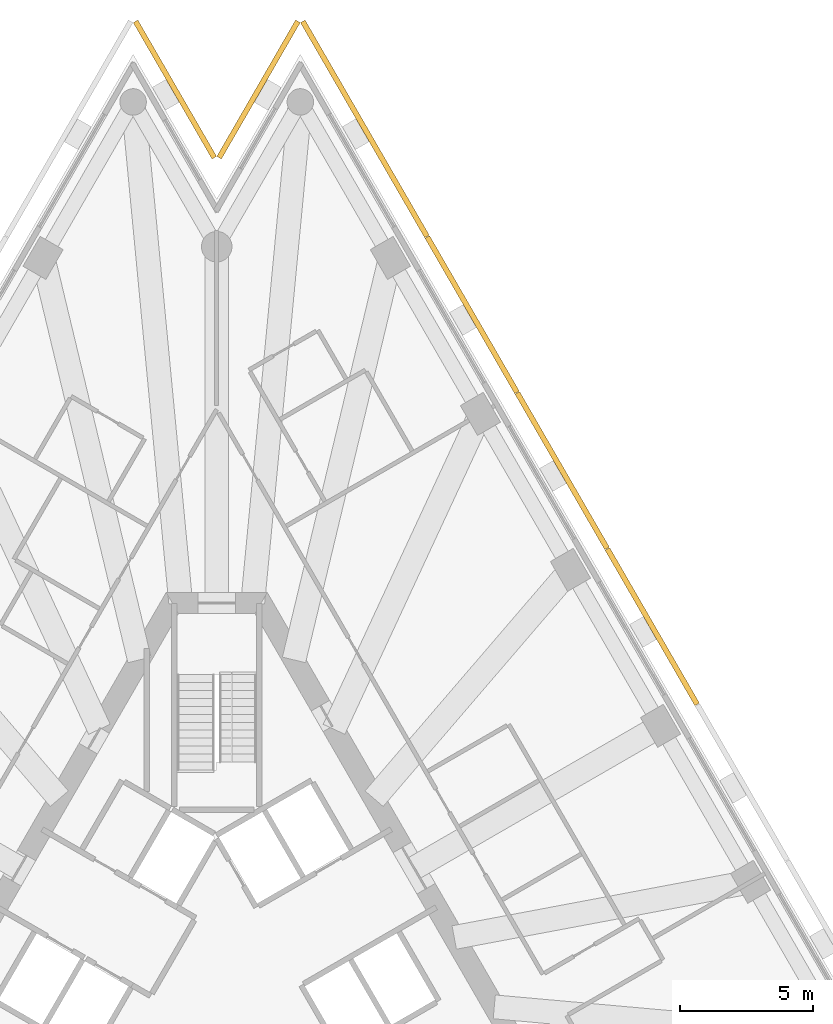
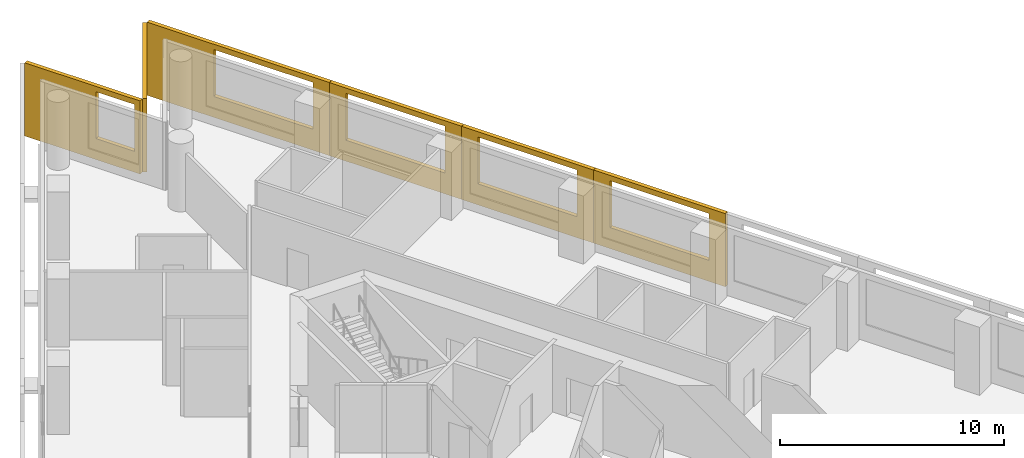
# One storey, part 9 of 9: 6 shading devices.
"""IFC4 building model written with IfcOpenShell, lengths in metres."""

from ifc_helpers import new_model, si_unit, direction, frame, origin, place, context, subcontext, project, spatial, polyline, outline, extrude, material, layer, layer_set, type_object, element, save


model = new_model("IFC4")

# Units and contexts
model_context = context("Model", 3, precision=1e-05, world=origin(), true_north=direction((0.0, 1.0)))
body_context = subcontext(model_context, "Body", "Model", "MODEL_VIEW")
ifc_project = project(units=[si_unit("LENGTHUNIT", "METRE"), si_unit("AREAUNIT", "SQUARE_METRE"), si_unit("VOLUMEUNIT", "CUBIC_METRE"), si_unit("PLANEANGLEUNIT", "RADIAN"), si_unit("MASSUNIT", "GRAM", prefix="KILO")], contexts=[model_context])

# Site, building, storey
site_placement = place(None, origin())
site = spatial("IfcSite", under=ifc_project, at=site_placement, CompositionType="ELEMENT")
building_placement = place(site_placement, origin())
building = spatial("IfcBuilding", under=site, at=building_placement, Name="Triada Interchange Tower", CompositionType="ELEMENT")
storey_placement = place(building_placement, frame((0.0, 0.0, 132.300048828125)))
storey = spatial("IfcBuildingStorey", under=building, at=storey_placement, Name="L30", CompositionType="ELEMENT", Elevation=132.300048828125)

# Shading devices
ifc_material = material(Name="Concrete C50/60 precast", Category="concrete")
ifc_layer_1 = layer(ifc_material, 0.02001953125, Name="Exposed aggregate face")
ifc_layer_2 = layer(ifc_material, 0.179931640625, Name="Precast concrete screen")
ifc_layer_set = layer_set([ifc_layer_1, ifc_layer_2], Name="Outer skin screen panel 3980")
shading_device_type = type_object("IfcShadingDeviceType", Name="Outer skin screen panel 3980", PredefinedType="SHUTTER", material=ifc_layer_set)
shading_device_1_placement = place(storey_placement, frame((18.035888671875, 10.425048828125, -0.2900390625), z_axis=(0.0, 0.0, 1.0), x_axis=(-0.50002716953, 0.866009716881, 0.0)))
element("IfcShadingDevice", 1, at=shading_device_1_placement, inside=storey, type_object=shading_device_type, Name="Outer skin screen panel L30 25", PredefinedType="SHUTTER", context=body_context, shape_type="SweptSolid", body=[
    extrude(outline(polyline([(0.0, 0.0), (6.7734375, 0.0), (6.7734375, 3.97998046875), (0.0, 3.97998046875), (0.0, 0.0)]), holes=[polyline([(0.83740234375, 1.139892578125), (0.83740234375, 3.68994140625), (5.937255859375, 3.68994140625), (5.937255859375, 1.139892578125), (0.83740234375, 1.139892578125)])]), frame((0.0, 0.0, 0.0), z_axis=(0.0, -1.0, 0.0), x_axis=(1.0, 0.0, 0.0)), (0.0, 0.0, 1.0), 0.199951171875),
])
shading_device_2_placement = place(storey_placement, frame((14.638916015625, 16.30810546875, -0.2900390625), z_axis=(0.0, 0.0, 1.0), x_axis=(-0.499964745128, 0.866045757238, 0.0)))
element("IfcShadingDevice", 2, at=shading_device_2_placement, inside=storey, type_object=shading_device_type, Name="Outer skin screen panel L30 26", PredefinedType="SHUTTER", context=body_context, shape_type="SweptSolid", body=[
    extrude(outline(polyline([(0.0, 0.0), (6.7744140625, 0.0), (6.7744140625, 3.97998046875), (0.0, 3.97998046875), (0.0, 0.0)]), holes=[polyline([(0.83740234375, 1.139892578125), (0.83740234375, 3.68994140625), (5.937255859375, 3.68994140625), (5.937255859375, 1.139892578125), (0.83740234375, 1.139892578125)])]), frame((0.0, 0.0, 0.0), z_axis=(0.0, -1.0, 0.0), x_axis=(1.0, 0.0, 0.0)), (0.0, 0.0, 1.0), 0.199951171875),
])
shading_device_3_placement = place(storey_placement, frame((11.241943359375, 22.19189453125, -0.2900390625), z_axis=(0.0, 0.0, 1.0), x_axis=(-0.499949141057, 0.866054765218, 0.0)))
element("IfcShadingDevice", 3, at=shading_device_3_placement, inside=storey, type_object=shading_device_type, Name="Outer skin screen panel L30 27", PredefinedType="SHUTTER", context=body_context, shape_type="SweptSolid", body=[
    extrude(outline(polyline([(0.0, 0.0), (6.774658203125, 0.0), (6.774658203125, 3.97998046875), (0.0, 3.97998046875), (0.0, 0.0)]), holes=[polyline([(0.83740234375, 1.139892578125), (0.83740234375, 3.68994140625), (5.9375, 3.68994140625), (5.9375, 1.139892578125), (0.83740234375, 1.139892578125)])]), frame((0.0, 0.0, 0.0), z_axis=(0.0, -1.0, 0.0), x_axis=(1.0, 0.0, 0.0)), (0.0, 0.0, 1.0), 0.199951171875),
])
shading_device_4_placement = place(storey_placement, frame((7.844970703125, 28.075927734375, -0.2900390625), z_axis=(0.0, 0.0, 1.0), x_axis=(-0.500022371132, 0.86601248742, 0.0)))
element("IfcShadingDevice", 4, at=shading_device_4_placement, inside=storey, type_object=shading_device_type, Name="Outer skin screen panel L30 28", PredefinedType="SHUTTER", context=body_context, shape_type="SweptSolid", body=[
    extrude(outline(polyline([(0.0, 0.0), (9.37158203125, 0.0), (9.37158203125, 3.97998046875), (0.0, 3.97998046875), (0.0, 0.0)]), holes=[polyline([(0.83740234375, 1.139892578125), (0.83740234375, 3.68994140625), (5.9375, 3.68994140625), (5.9375, 1.139892578125), (0.83740234375, 1.139892578125)])]), frame((0.0, 0.0, 0.0), z_axis=(0.0, -1.0, 0.0), x_axis=(1.0, 0.0, 0.0)), (0.0, 0.0, 1.0), 0.199951171875),
])
shading_device_5_placement = place(storey_placement, frame((3.14892578125, 36.19189453125, -0.2900390625), z_axis=(0.0, 0.0, 1.0), x_axis=(-0.50014817463, -0.865939838219, 0.0)))
element("IfcShadingDevice", 5, at=shading_device_5_placement, inside=storey, type_object=shading_device_type, Name="Outer skin screen panel L30 29", PredefinedType="SHUTTER", context=body_context, shape_type="SweptSolid", body=[
    extrude(outline(polyline([(0.0, 0.0), (5.940185546875, 0.0), (5.940185546875, 3.97998046875), (0.0, 3.97998046875), (0.0, 0.0)]), holes=[polyline([(3.175537109375, 1.139892578125), (3.175537109375, 3.68994140625), (5.640869140625, 3.68994140625), (5.640869140625, 1.139892578125), (3.175537109375, 1.139892578125)])]), frame((0.0, 0.0, 0.0), z_axis=(0.0, -1.0, 0.0), x_axis=(1.0, 0.0, 0.0)), (0.0, 0.0, 1.0), 0.199951171875),
])
shading_device_6_placement = place(storey_placement, frame((-0.177978515625, 31.048095703125, -0.2900390625), z_axis=(0.0, 0.0, 1.0), x_axis=(-0.50014817463, 0.865939838219, 0.0)))
element("IfcShadingDevice", 6, at=shading_device_6_placement, inside=storey, type_object=shading_device_type, Name="Outer skin screen panel L30 30", PredefinedType="SHUTTER", context=body_context, shape_type="SweptSolid", body=[
    extrude(outline(polyline([(0.0, 0.0), (5.940185546875, 0.0), (5.940185546875, 3.97998046875), (0.0, 3.97998046875), (0.0, 0.0)]), holes=[polyline([(0.300048828125, 1.139892578125), (0.300048828125, 3.68994140625), (2.258056640625, 3.68994140625), (2.258056640625, 1.139892578125), (0.300048828125, 1.139892578125)])]), frame((0.0, 0.0, 0.0), z_axis=(0.0, -1.0, 0.0), x_axis=(1.0, 0.0, 0.0)), (0.0, 0.0, 1.0), 0.199951171875),
])

save(model, "model.ifc")
